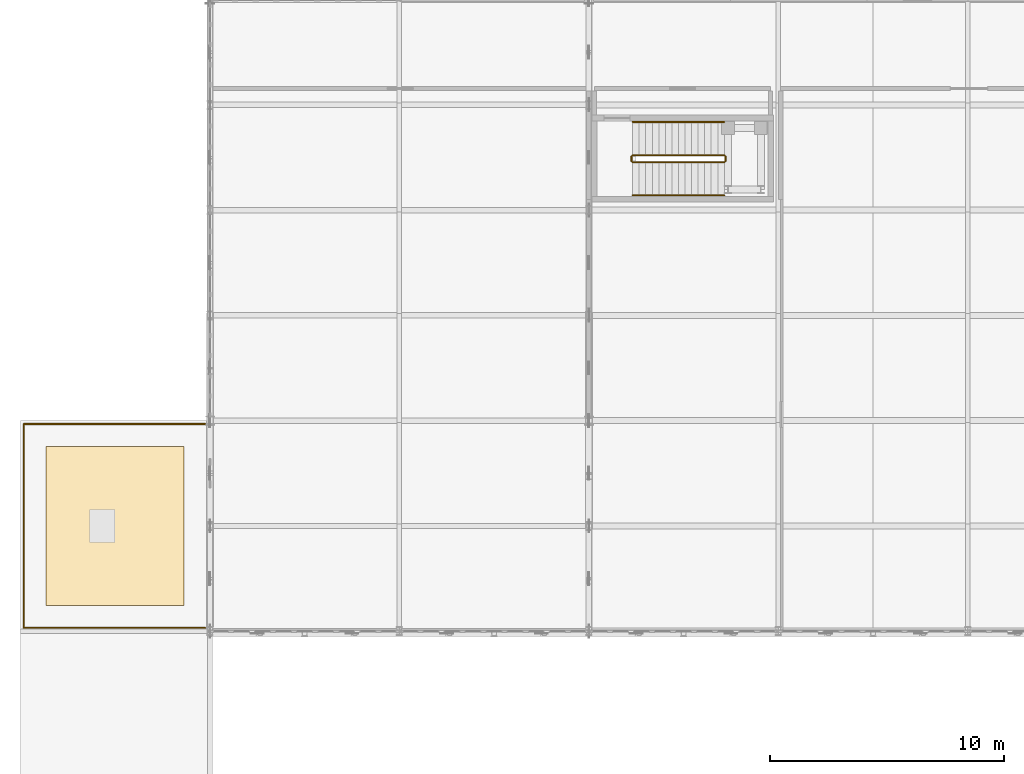
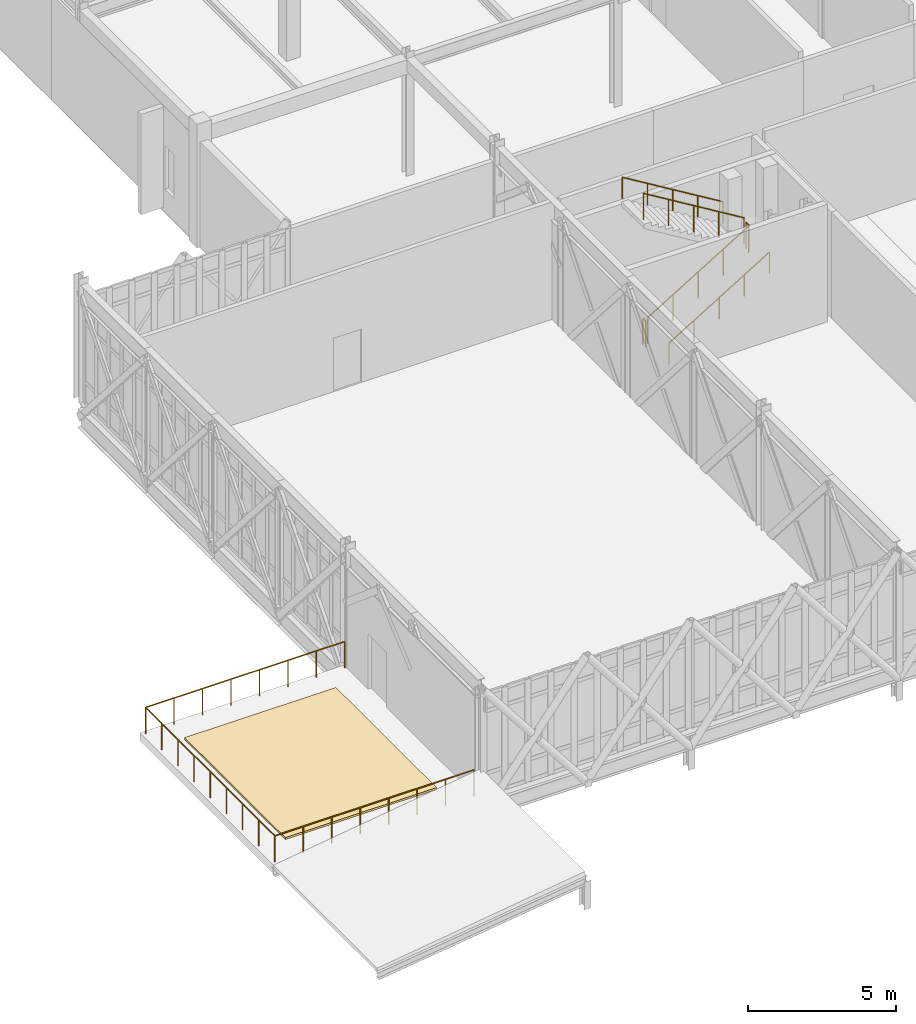
# One storey, part 101 of 107: 9 railings, 1 covering.
"""IFC4 building model written with IfcOpenShell, lengths in metres."""

from ifc_helpers import new_model, si_unit, direction, frame, origin, origin_2d, place, context, subcontext, project, spatial, polyline, circle, outline, extrude, material, layer, layer_set, type_object, element, save


model = new_model("IFC4")

# Units and contexts
model_context = context("Model", 3, precision=1e-05, world=origin(), true_north=direction((0.0, 1.0)))
body_context = subcontext(model_context, "Body", "Model", "MODEL_VIEW")
ifc_project = project(units=[si_unit("LENGTHUNIT", "METRE"), si_unit("AREAUNIT", "SQUARE_METRE"), si_unit("VOLUMEUNIT", "CUBIC_METRE"), si_unit("PLANEANGLEUNIT", "RADIAN"), si_unit("MASSUNIT", "GRAM", prefix="KILO")], contexts=[model_context])

# Site, building, storey
site_placement = place(None, origin())
site = spatial("IfcSite", under=ifc_project, at=site_placement, CompositionType="ELEMENT")
building_placement = place(site_placement, origin())
building = spatial("IfcBuilding", under=site, at=building_placement, Name="Tarnveldt Square Police Headquarters", CompositionType="ELEMENT")
storey_placement = place(building_placement, frame((0.0, 0.0, 14.699951171875)))
storey = spatial("IfcBuildingStorey", under=building, at=storey_placement, Name="L03", CompositionType="ELEMENT", Elevation=14.699951171875)

# Covering
ifc_material_1 = material(Name="Vegetated sedum and EPDM waterproofing roofing assembly", Category="concrete")
ifc_layer = layer(ifc_material_1, 0.080078125)
ifc_layer_set = layer_set([ifc_layer], Name="Vegetated sedum and EPDM waterproofing roofing assembly")
covering_type = type_object("IfcCoveringType", Name="COV-RFG-80", PredefinedType="ROOFING", material=ifc_layer_set)
covering_placement = place(storey_placement, origin())
element("IfcCovering", 1, at=covering_placement, inside=storey, type_object=covering_type, Name="South-West Civic Roof Terrace Planted Roofing Assembly 1", PredefinedType="ROOFING", context=body_context, shape_type="SweptSolid", body=[
    extrude(outline(polyline([(7.0, 8.10009765625), (7.0, 14.89990234375), (1.10009765625, 14.89990234375), (1.10009765625, 8.10009765625), (7.0, 8.10009765625)])), origin(), (0.0, 0.0, 1.0), 0.080078125),
])

# Railings
ifc_material_2 = material(Name="Steel 350W", Category="steel")
railing_type_1 = type_object("IfcRailingType", Name="RL-GR-1100", PredefinedType="GUARDRAIL", material=ifc_material_2)
railing_1_placement = place(storey_placement, frame((26.169921875, 27.050048828125, 0.170166015625)))
element("IfcRailing", 2, at=railing_1_placement, inside=storey, type_object=railing_type_1, Name="L03 ST6 stair guard 1", PredefinedType="GUARDRAIL", context=body_context, shape_type="SweptSolid", body=[
    extrude(circle(Radius=0.02392578125, at=origin_2d()), frame((0.0, 0.0, 1.076171875), z_axis=(0.854808600491, 0.0, 0.518943403973), x_axis=(0.0, 1.0, 0.0)), (0.0, 0.0, 1.0), 4.5859375),
    extrude(circle(Radius=0.02099609375, at=origin_2d()), origin(), (0.0, 0.0, 1.0), 1.052001953125),
    extrude(circle(Radius=0.02099609375, at=origin_2d()), frame((0.97998046875, 0.0, 0.594970703125)), (0.0, 0.0, 1.0), 1.052001953125),
    extrude(circle(Radius=0.02099609375, at=origin_2d()), frame((1.9599609375, 0.0, 1.18994140625)), (0.0, 0.0, 1.0), 1.052001953125),
    extrude(circle(Radius=0.02099609375, at=origin_2d()), frame((2.940185546875, 0.0, 1.784912109375)), (0.0, 0.0, 1.0), 1.052001953125),
    extrude(circle(Radius=0.02099609375, at=origin_2d()), frame((3.920166015625, 0.0, 2.3798828125)), (0.0, 0.0, 1.0), 1.052001953125),
])
railing_2_placement = place(storey_placement, frame((30.139892578125, 27.10009765625, 2.550048828125)))
element("IfcRailing", 3, at=railing_2_placement, inside=storey, type_object=railing_type_1, Name="L03 ST6 stair guard 2", PredefinedType="GUARDRAIL", context=body_context, shape_type="SweptSolid", body=[
    extrude(circle(Radius=0.02392578125, at=origin_2d()), frame((0.0, 0.0, 1.076171875), z_axis=(0.0, 1.0, 0.0), x_axis=(-1.0, 0.0, 0.0)), (0.0, 0.0, 1.0), 0.199951171875),
    extrude(circle(Radius=0.02099609375, at=origin_2d()), origin(), (0.0, 0.0, 1.0), 1.052001953125),
    extrude(circle(Radius=0.02099609375, at=origin_2d()), frame((0.0, 0.199951171875, 0.0)), (0.0, 0.0, 1.0), 1.052001953125),
])
railing_3_placement = place(storey_placement, frame((30.090087890625, 27.35009765625, 2.719970703125)))
element("IfcRailing", 4, at=railing_3_placement, inside=storey, type_object=railing_type_1, Name="L03 ST6 stair guard 3", PredefinedType="GUARDRAIL", context=body_context, shape_type="SweptSolid", body=[
    extrude(circle(Radius=0.02392578125, at=origin_2d()), frame((0.0, 0.0, 1.076171875), z_axis=(-0.854784984964, 0.0, 0.518982301701), x_axis=(0.0, -1.0, 0.0)), (0.0, 0.0, 1.0), 4.586181640625),
    extrude(circle(Radius=0.02099609375, at=origin_2d()), origin(), (0.0, 0.0, 1.0), 1.052001953125),
    extrude(circle(Radius=0.02099609375, at=origin_2d()), frame((-0.97998046875, 0.0, 0.594970703125)), (0.0, 0.0, 1.0), 1.052001953125),
    extrude(circle(Radius=0.02099609375, at=origin_2d()), frame((-1.9599609375, 0.0, 1.18994140625)), (0.0, 0.0, 1.0), 1.052001953125),
    extrude(circle(Radius=0.02099609375, at=origin_2d()), frame((-2.940185546875, 0.0, 1.78515625)), (0.0, 0.0, 1.0), 1.052001953125),
    extrude(circle(Radius=0.02099609375, at=origin_2d()), frame((-3.920166015625, 0.0, 2.380126953125)), (0.0, 0.0, 1.0), 1.052001953125),
])
railing_4_placement = place(storey_placement, frame((26.1201171875, 27.10009765625, 0.0)))
element("IfcRailing", 5, at=railing_4_placement, inside=storey, type_object=railing_type_1, Name="L03 ST6 stair guard 4", PredefinedType="GUARDRAIL", context=body_context, shape_type="SweptSolid", body=[
    extrude(circle(Radius=0.02392578125, at=origin_2d()), frame((0.0, 0.0, 1.076171875), z_axis=(0.0, 1.0, 0.0), x_axis=(-1.0, 0.0, 0.0)), (0.0, 0.0, 1.0), 0.199951171875),
    extrude(circle(Radius=0.02099609375, at=origin_2d()), origin(), (0.0, 0.0, 1.0), 1.052001953125),
    extrude(circle(Radius=0.02099609375, at=origin_2d()), frame((0.0, 0.199951171875, 0.0)), (0.0, 0.0, 1.0), 1.052001953125),
])
railing_type_2 = type_object("IfcRailingType", Name="RL-HR-900", PredefinedType="HANDRAIL", material=ifc_material_2)
railing_5_placement = place(storey_placement, frame((26.169921875, 25.6298828125, 0.170166015625)))
element("IfcRailing", 6, at=railing_5_placement, inside=storey, type_object=railing_type_2, Name="L03 ST6 stair handrail 1", PredefinedType="HANDRAIL", context=body_context, shape_type="SweptSolid", body=[
    extrude(circle(Radius=0.02392578125, at=origin_2d()), frame((0.0, 0.0, 0.8759765625), z_axis=(0.854808600491, 0.0, 0.518943403973), x_axis=(0.0, 1.0, 0.0)), (0.0, 0.0, 1.0), 4.5859375),
    extrude(circle(Radius=0.02099609375, at=origin_2d()), origin(), (0.0, 0.0, 1.0), 0.851806640625),
    extrude(circle(Radius=0.02099609375, at=origin_2d()), frame((0.97998046875, 0.0, 0.594970703125)), (0.0, 0.0, 1.0), 0.851806640625),
    extrude(circle(Radius=0.02099609375, at=origin_2d()), frame((1.9599609375, 0.0, 1.18994140625)), (0.0, 0.0, 1.0), 0.851806640625),
    extrude(circle(Radius=0.02099609375, at=origin_2d()), frame((2.940185546875, 0.0, 1.784912109375)), (0.0, 0.0, 1.0), 0.851806640625),
    extrude(circle(Radius=0.02099609375, at=origin_2d()), frame((3.920166015625, 0.0, 2.3798828125)), (0.0, 0.0, 1.0), 0.851806640625),
])
railing_6_placement = place(storey_placement, frame((30.090087890625, 28.77001953125, 2.719970703125)))
element("IfcRailing", 7, at=railing_6_placement, inside=storey, type_object=railing_type_2, Name="L03 ST6 stair handrail 2", PredefinedType="HANDRAIL", context=body_context, shape_type="SweptSolid", body=[
    extrude(circle(Radius=0.02392578125, at=origin_2d()), frame((0.0, 0.0, 0.8759765625), z_axis=(-0.854784984964, 0.0, 0.518982301701), x_axis=(0.0, -1.0, 0.0)), (0.0, 0.0, 1.0), 4.586181640625),
    extrude(circle(Radius=0.02099609375, at=origin_2d()), origin(), (0.0, 0.0, 1.0), 0.851806640625),
    extrude(circle(Radius=0.02099609375, at=origin_2d()), frame((-0.97998046875, 0.0, 0.594970703125)), (0.0, 0.0, 1.0), 0.851806640625),
    extrude(circle(Radius=0.02099609375, at=origin_2d()), frame((-1.9599609375, 0.0, 1.18994140625)), (0.0, 0.0, 1.0), 0.851806640625),
    extrude(circle(Radius=0.02099609375, at=origin_2d()), frame((-2.940185546875, 0.0, 1.78515625)), (0.0, 0.0, 1.0), 0.851806640625),
    extrude(circle(Radius=0.02099609375, at=origin_2d()), frame((-3.920166015625, 0.0, 2.380126953125)), (0.0, 0.0, 1.0), 0.851806640625),
])
railing_type_3 = type_object("IfcRailingType", Name="RL-TER-1100", PredefinedType="GUARDRAIL", material=ifc_material_2)
railing_7_placement = place(storey_placement, frame((0.139892578125, 7.139892578125, 0.0)))
element("IfcRailing", 8, at=railing_7_placement, inside=storey, type_object=railing_type_3, Name="South-West Civic Roof Terrace Perimeter Guardrail S1", PredefinedType="GUARDRAIL", context=body_context, shape_type="SweptSolid", body=[
    extrude(circle(Radius=0.02392578125, at=origin_2d()), frame((0.0, 0.0, 1.076171875), z_axis=(1.0, 0.0, 0.0), x_axis=(0.0, 1.0, 0.0)), (0.0, 0.0, 1.0), 7.760009765625),
    extrude(circle(Radius=0.02099609375, at=origin_2d()), origin(), (0.0, 0.0, 1.0), 1.052001953125),
    extrude(circle(Radius=0.02099609375, at=origin_2d()), frame((1.108642578125, 0.0, 0.0)), (0.0, 0.0, 1.0), 1.052001953125),
    extrude(circle(Radius=0.02099609375, at=origin_2d()), frame((2.217041015625, 0.0, 0.0)), (0.0, 0.0, 1.0), 1.052001953125),
    extrude(circle(Radius=0.02099609375, at=origin_2d()), frame((3.32568359375, 0.0, 0.0)), (0.0, 0.0, 1.0), 1.052001953125),
    extrude(circle(Radius=0.02099609375, at=origin_2d()), frame((4.434326171875, 0.0, 0.0)), (0.0, 0.0, 1.0), 1.052001953125),
    extrude(circle(Radius=0.02099609375, at=origin_2d()), frame((5.54296875, 0.0, 0.0)), (0.0, 0.0, 1.0), 1.052001953125),
    extrude(circle(Radius=0.02099609375, at=origin_2d()), frame((6.6513671875, 0.0, 0.0)), (0.0, 0.0, 1.0), 1.052001953125),
    extrude(circle(Radius=0.02099609375, at=origin_2d()), frame((7.760009765625, 0.0, 0.0)), (0.0, 0.0, 1.0), 1.052001953125),
])
railing_8_placement = place(storey_placement, frame((7.89990234375, 15.860107421875, 0.0)))
element("IfcRailing", 9, at=railing_8_placement, inside=storey, type_object=railing_type_3, Name="South-West Civic Roof Terrace Perimeter Guardrail N1", PredefinedType="GUARDRAIL", context=body_context, shape_type="SweptSolid", body=[
    extrude(circle(Radius=0.02392578125, at=origin_2d()), frame((0.0, 0.0, 1.076171875), z_axis=(-1.0, 0.0, 0.0), x_axis=(0.0, -1.0, 0.0)), (0.0, 0.0, 1.0), 7.760009765625),
    extrude(circle(Radius=0.02099609375, at=origin_2d()), origin(), (0.0, 0.0, 1.0), 1.052001953125),
    extrude(circle(Radius=0.02099609375, at=origin_2d()), frame((-1.108642578125, 0.0, 0.0)), (0.0, 0.0, 1.0), 1.052001953125),
    extrude(circle(Radius=0.02099609375, at=origin_2d()), frame((-2.217041015625, 0.0, 0.0)), (0.0, 0.0, 1.0), 1.052001953125),
    extrude(circle(Radius=0.02099609375, at=origin_2d()), frame((-3.32568359375, 0.0, 0.0)), (0.0, 0.0, 1.0), 1.052001953125),
    extrude(circle(Radius=0.02099609375, at=origin_2d()), frame((-4.434326171875, 0.0, 0.0)), (0.0, 0.0, 1.0), 1.052001953125),
    extrude(circle(Radius=0.02099609375, at=origin_2d()), frame((-5.54296875, 0.0, 0.0)), (0.0, 0.0, 1.0), 1.052001953125),
    extrude(circle(Radius=0.02099609375, at=origin_2d()), frame((-6.6513671875, 0.0, 0.0)), (0.0, 0.0, 1.0), 1.052001953125),
    extrude(circle(Radius=0.02099609375, at=origin_2d()), frame((-7.760009765625, 0.0, 0.0)), (0.0, 0.0, 1.0), 1.052001953125),
])
railing_9_placement = place(storey_placement, frame((0.139892578125, 15.860107421875, 0.0)))
element("IfcRailing", 10, at=railing_9_placement, inside=storey, type_object=railing_type_3, Name="South-West Civic Roof Terrace Perimeter Guardrail W1", PredefinedType="GUARDRAIL", context=body_context, shape_type="SweptSolid", body=[
    extrude(circle(Radius=0.02392578125, at=origin_2d()), frame((0.0, 0.0, 1.076171875), z_axis=(0.0, -1.0, 0.0), x_axis=(1.0, 0.0, 0.0)), (0.0, 0.0, 1.0), 8.72021484375),
    extrude(circle(Radius=0.02099609375, at=origin_2d()), origin(), (0.0, 0.0, 1.0), 1.052001953125),
    extrude(circle(Radius=0.02099609375, at=origin_2d()), frame((0.0, -1.090087890625, 0.0)), (0.0, 0.0, 1.0), 1.052001953125),
    extrude(circle(Radius=0.02099609375, at=origin_2d()), frame((0.0, -2.18017578125, 0.0)), (0.0, 0.0, 1.0), 1.052001953125),
    extrude(circle(Radius=0.02099609375, at=origin_2d()), frame((0.0, -3.27001953125, 0.0)), (0.0, 0.0, 1.0), 1.052001953125),
    extrude(circle(Radius=0.02099609375, at=origin_2d()), frame((0.0, -4.360107421875, 0.0)), (0.0, 0.0, 1.0), 1.052001953125),
    extrude(circle(Radius=0.02099609375, at=origin_2d()), frame((0.0, -5.4501953125, 0.0)), (0.0, 0.0, 1.0), 1.052001953125),
    extrude(circle(Radius=0.02099609375, at=origin_2d()), frame((0.0, -6.5400390625, 0.0)), (0.0, 0.0, 1.0), 1.052001953125),
    extrude(circle(Radius=0.02099609375, at=origin_2d()), frame((0.0, -7.630126953125, 0.0)), (0.0, 0.0, 1.0), 1.052001953125),
    extrude(circle(Radius=0.02099609375, at=origin_2d()), frame((0.0, -8.72021484375, 0.0)), (0.0, 0.0, 1.0), 1.052001953125),
])

save(model, "model.ifc")
